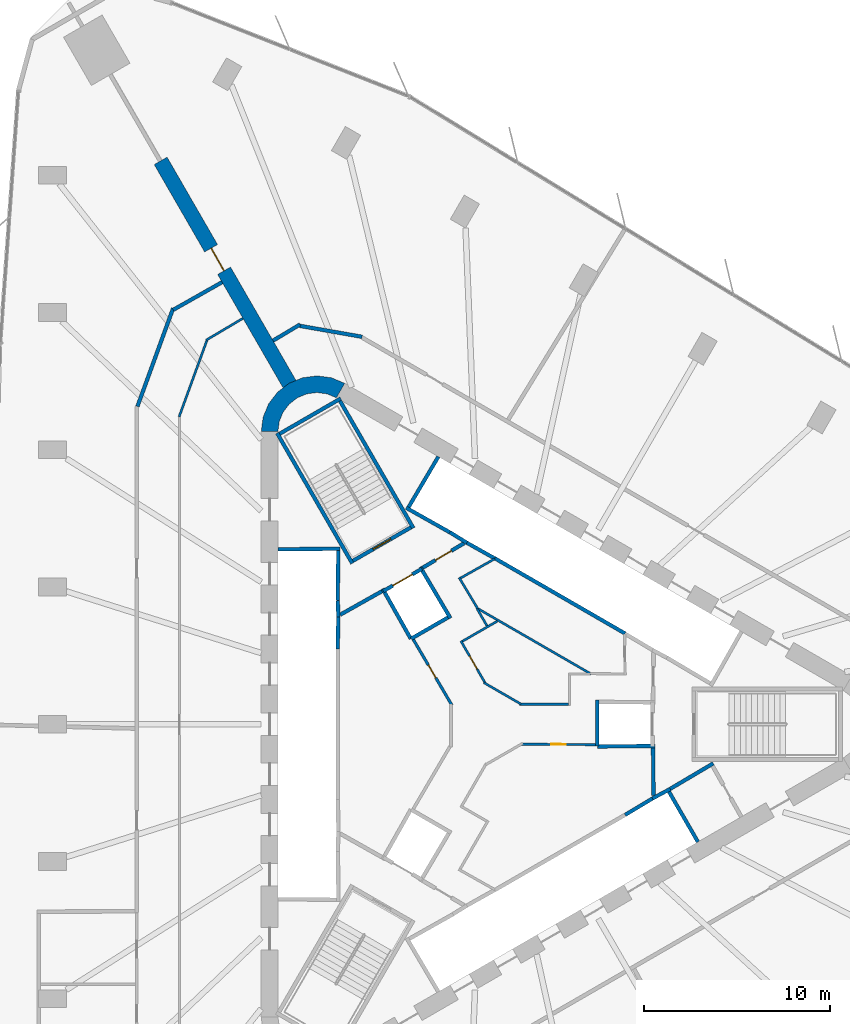
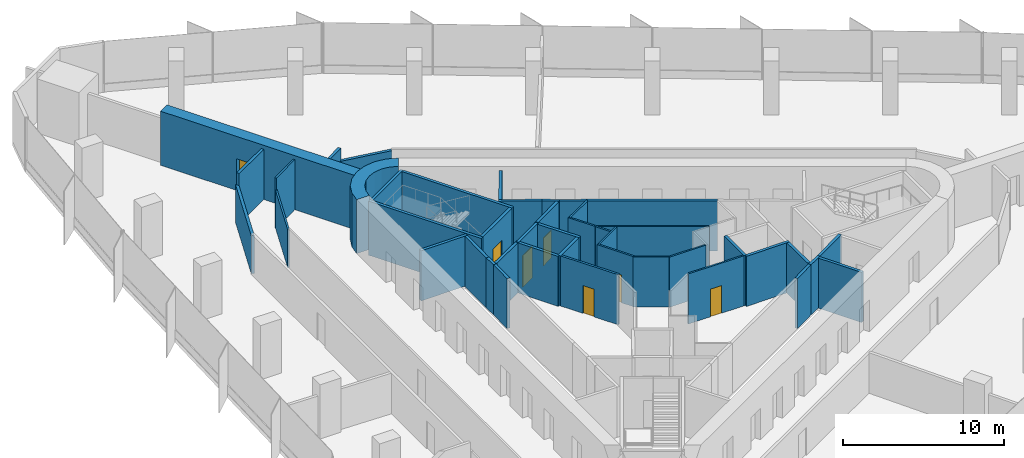
# One storey, part 10 of 13: 44 walls, 7 doors, 7 openings.
"""IFC4 building model written with IfcOpenShell, lengths in metres."""

from ifc_helpers import new_model, si_unit, direction, frame, frame_2d, origin, place, context, subcontext, project, spatial, polyline, rectangle, outline, extrude, material, layer, layer_set, type_object, element, fill, save


model = new_model("IFC4")

# Units and contexts
model_context = context("Model", 3, precision=1e-05, world=origin(), true_north=direction((0.0, 1.0)))
body_context = subcontext(model_context, "Body", "Model", "MODEL_VIEW")
ifc_project = project(units=[si_unit("LENGTHUNIT", "METRE"), si_unit("AREAUNIT", "SQUARE_METRE"), si_unit("VOLUMEUNIT", "CUBIC_METRE"), si_unit("PLANEANGLEUNIT", "RADIAN"), si_unit("MASSUNIT", "GRAM", prefix="KILO")], contexts=[model_context])

# Site, building, storey
site_placement = place(None, origin())
site = spatial("IfcSite", under=ifc_project, at=site_placement, CompositionType="ELEMENT")
building_placement = place(site_placement, origin())
building = spatial("IfcBuilding", under=site, at=building_placement, Name="Tanit Gate Tower", CompositionType="ELEMENT")
storey_placement = place(building_placement, frame((0.0, 0.0, 66.0)))
storey = spatial("IfcBuildingStorey", under=building, at=storey_placement, Name="L12", CompositionType="ELEMENT", Elevation=66.0)

# Wall, opening, door
ifc_material_1 = material(Name="Concrete C60/75", Category="concrete")
ifc_layer_1 = layer(ifc_material_1, 0.800048828125)
ifc_layer_set_1 = layer_set([ifc_layer_1], Name="BUTTRESS FIN 800 C60/75")
wall_type_1 = type_object("IfcWallType", Name="BUTTRESS FIN 800 C60/75", PredefinedType="SHEAR", material=ifc_layer_set_1)
wall_1_placement = place(storey_placement, frame((-10.574951171875, 18.31640625, 0.0), z_axis=(0.0, 0.0, 1.0), x_axis=(-0.500001010139, 0.866024820579, 0.0)))
wall_1 = element("IfcWall", 1, at=wall_1_placement, inside=storey, type_object=wall_type_1, Name="BUTTRESS FIN", PredefinedType="SHEAR", context=body_context, shape_type="SweptSolid", body=[
    extrude(rectangle(XDim=13.8837890625, YDim=0.800048828125, at=frame_2d((6.94189453125, 0.0))), origin(), (0.0, 0.0, 1.0), 4.10009765625),
])
opening_1_placement = place(wall_1_placement, frame((7.050048828125, 0.0, 0.0)))
opening_1 = element("IfcOpeningElement", 2, at=opening_1_placement, cuts=wall_1, Name="Opening P14-S01-F-NW-1", PredefinedType="OPENING", context=body_context, shape_type="SweptSolid", body=[
    extrude(rectangle(XDim=1.39990234375, YDim=2.39990234375, at=frame_2d((0.699951171875, 1.199951171875))), frame((0.0, 0.41015625, 0.0), z_axis=(0.0, -1.0, 0.0), x_axis=(1.0, 0.0, 0.0)), (0.0, 0.0, 1.0), 0.820068359375),
])
ifc_material_2 = material(Name="Timber door leaf", Category="wood")
door_type_1 = type_object("IfcDoorType", Name="INT-DOOR-FIN-PAIR-1400", OperationType="NOTDEFINED", PredefinedType="NOTDEFINED", material=ifc_material_2)
door_1_placement = place(opening_1_placement, origin())
door_1 = element("IfcDoor", 3, at=door_1_placement, inside=storey, type_object=door_type_1, Name="Door P14-S01-F-NW-1", OperationType="DOUBLE_DOOR_SINGLE_SWING", OverallHeight=2.39990234375, OverallWidth=1.39990234375, PredefinedType="NOTDEFINED", context=body_context, shape_type="SweptSolid", body=[
    extrude(rectangle(XDim=1.39990234375, YDim=2.39990234375, at=frame_2d((0.699951171875, 1.199951171875))), frame((0.0, 0.02490234375, 0.0), z_axis=(0.0, -1.0, 0.0), x_axis=(1.0, 0.0, 0.0)), (0.0, 0.0, 1.0), 0.050048828125),
])
fill(opening_1, door_1)

# Walls
ifc_material_3 = material(Name="Concrete C60/75", Category="concrete")
ifc_layer_2 = layer(ifc_material_3, 0.89990234375)
ifc_layer_set_2 = layer_set([ifc_layer_2], Name="CORE WALL 900 C60/75")
wall_type_2 = type_object("IfcWallType", Name="CORE WALL 900 C60/75", PredefinedType="SHEAR", material=ifc_layer_set_2)
wall_2_placement = place(storey_placement, origin())
element("IfcWall", 4, at=wall_2_placement, inside=storey, type_object=wall_type_2, Name="CORE WALL CORNER", PredefinedType="SHEAR", context=body_context, shape_type="SweptSolid", body=[
    extrude(outline(polyline([(-7.60009765625, 18.359619140625), (-8.323486328125, 18.659423828125), (-9.10009765625, 18.76171875), (-9.87646484375, 18.659423828125), (-10.60009765625, 18.359619140625), (-11.22119140625, 17.883056640625), (-11.697998046875, 17.26171875), (-11.997802734375, 16.5380859375), (-12.10009765625, 15.76171875), (-11.199951171875, 15.76171875), (-11.12841796875, 16.30517578125), (-10.918701171875, 16.811767578125), (-10.5849609375, 17.24658203125), (-10.14990234375, 17.580322265625), (-9.6435546875, 17.7900390625), (-9.10009765625, 17.86181640625), (-8.556396484375, 17.7900390625), (-8.050048828125, 17.580322265625), (-7.60009765625, 18.359619140625)])), origin(), (0.0, 0.0, 1.0), 4.10009765625),
])
ifc_material_4 = material(Name="Fire-rated gypsum board partition")
ifc_layer_3 = layer(ifc_material_4, 0.199951171875)
ifc_layer_set_3 = layer_set([ifc_layer_3], Name="INT-WALL-COMPARTMENT")
wall_type_3 = type_object("IfcWallType", Name="INT-WALL-COMPARTMENT", PredefinedType="PARTITIONING", material=ifc_layer_set_3)
wall_3_placement = place(storey_placement, frame((12.244873046875, -2.10888671875, 0.0), z_axis=(0.0, 0.0, 1.0), x_axis=(-0.860414880418, -0.509594185166, 0.0)))
element("IfcWall", 5, at=wall_3_placement, inside=storey, type_object=wall_type_3, Name="Wall Compartment W057", PredefinedType="PARTITIONING", context=body_context, shape_type="SweptSolid", body=[
    extrude(rectangle(XDim=2.7001953125, YDim=0.199951171875, at=frame_2d((1.35009765625, 0.0))), origin(), (0.0, 0.0, 1.0), 3.800048828125),
])
for number, where, z_axis, x_axis, name in (
    (6, (9.02880859375, -3.8505859375, 0.0), (0.0, 0.0, 1.0), (-0.010784614026, 0.999941844359, 0.0), "Wall Compartment W059"),
    (7, (-5.600341796875, 7.16015625, 0.0), (0.0, 0.0, 1.0), (-0.871340486379, -0.490678873396, 0.0), "Wall Compartment W061"),
):
    element("IfcWall", number, at=place(storey_placement, frame(where, z_axis=z_axis, x_axis=x_axis)), inside=storey, type_object=wall_type_3, Name=name, PredefinedType="PARTITIONING", context=body_context, shape_type="SweptSolid", body=[
        extrude(rectangle(XDim=2.580810546875, YDim=0.199951171875, at=frame_2d((1.29052734375, 0.0))), origin(), (0.0, 0.0, 1.0), 3.800048828125),
    ])

# Wall, opening, door
wall_4_placement = place(storey_placement, frame((-1.179443359375, 9.74462890625, 0.0), z_axis=(0.0, 0.0, 1.0), x_axis=(-0.860598681535, -0.509283721849, 0.0)))
wall_4 = element("IfcWall", 8, at=wall_4_placement, inside=storey, type_object=wall_type_3, Name="Wall Compartment W062", PredefinedType="PARTITIONING", context=body_context, shape_type="SweptSolid", body=[
    extrude(rectangle(XDim=2.5810546875, YDim=0.199951171875, at=frame_2d((1.29052734375, 0.0))), origin(), (0.0, 0.0, 1.0), 3.800048828125),
])
opening_2_placement = place(wall_4_placement, frame((0.79052734375, 0.0, 0.0)))
opening_2 = element("IfcOpeningElement", 9, at=opening_2_placement, cuts=wall_4, Name="Opening F10-S01-05", PredefinedType="OPENING", context=body_context, shape_type="SweptSolid", body=[
    extrude(rectangle(XDim=1.0, YDim=2.10009765625, at=frame_2d((0.5, 1.050048828125))), frame((0.0, 0.10986328125, 0.0), z_axis=(0.0, -1.0, 0.0), x_axis=(1.0, 0.0, 0.0)), (0.0, 0.0, 1.0), 0.219970703125),
])
ifc_material_5 = material(Name="Fire-rated steel door leaf", Category="steel")
door_type_2 = type_object("IfcDoorType", Name="INT-DOOR-FIRE-1000", OperationType="NOTDEFINED", PredefinedType="USERDEFINED", material=ifc_material_5)
door_2_placement = place(opening_2_placement, origin())
door_2 = element("IfcDoor", 10, at=door_2_placement, inside=storey, type_object=door_type_2, Name="Door F10-S01-05", ObjectType="FIRE DOOR", OperationType="SINGLE_SWING_LEFT", OverallHeight=2.10009765625, OverallWidth=1.0, PredefinedType="USERDEFINED", context=body_context, shape_type="SweptSolid", body=[
    extrude(rectangle(XDim=1.0, YDim=2.10009765625, at=frame_2d((0.5, 1.050048828125))), frame((0.0, 0.02490234375, 0.0), z_axis=(0.0, -1.0, 0.0), x_axis=(1.0, 0.0, 0.0)), (0.0, 0.0, 1.0), 0.050048828125),
])
fill(opening_2, door_2)

# Walls
wall_5_placement = place(storey_placement, frame((-16.842041015625, 22.401611328125, 0.0), z_axis=(0.0, 0.0, 1.0), x_axis=(-0.342049747763, -0.939681845124, 0.0)))
element("IfcWall", 11, at=wall_5_placement, inside=storey, type_object=wall_type_3, Name="Wall Compartment W095", PredefinedType="PARTITIONING", context=body_context, shape_type="SweptSolid", body=[
    extrude(rectangle(XDim=5.62451171875, YDim=0.199951171875, at=frame_2d((2.812255859375, 0.0))), origin(), (0.0, 0.0, 1.0), 2.8798828125),
])
wall_6_placement = place(storey_placement, frame((-14.206298828125, 23.805908203125, 0.0), z_axis=(0.0, 0.0, 1.0), x_axis=(-0.87028621909, -0.492546339811, 0.0)))
element("IfcWall", 12, at=wall_6_placement, inside=storey, type_object=wall_type_3, Name="Wall Compartment W096", PredefinedType="PARTITIONING", context=body_context, shape_type="SweptSolid", body=[
    extrude(rectangle(XDim=3.026123046875, YDim=0.199951171875, at=frame_2d((1.51318359375, 0.0))), origin(), (0.0, 0.0, 1.0), 3.800048828125),
])
wall_7_placement = place(storey_placement, frame((-10.00732421875, 21.528564453125, 0.0), z_axis=(0.0, 0.0, 1.0), x_axis=(-0.858379714818, -0.513014878136, 0.0)))
element("IfcWall", 13, at=wall_7_placement, inside=storey, type_object=wall_type_3, Name="Wall Compartment W101", PredefinedType="PARTITIONING", context=body_context, shape_type="SweptSolid", body=[
    extrude(rectangle(XDim=1.697998046875, YDim=0.199951171875, at=frame_2d((0.84912109375, 0.0))), origin(), (0.0, 0.0, 1.0), 3.800048828125),
])
wall_8_placement = place(storey_placement, frame((-6.667236328125, 20.863037109375, 0.0), z_axis=(0.0, 0.0, 1.0), x_axis=(-0.984817805596, 0.173591156977, 0.0)))
element("IfcWall", 14, at=wall_8_placement, inside=storey, type_object=wall_type_3, Name="Wall Compartment W102", PredefinedType="PARTITIONING", context=body_context, shape_type="SweptSolid", body=[
    extrude(rectangle(XDim=3.44287109375, YDim=0.199951171875, at=frame_2d((1.721435546875, 0.0))), origin(), (0.0, 0.0, 1.0), 2.8798828125),
])

# Wall, opening, door
ifc_material_6 = material(Name="Gypsum board partition")
ifc_layer_4 = layer(ifc_material_6, 0.1201171875)
ifc_layer_set_4 = layer_set([ifc_layer_4], Name="INT-WALL-PARTITION")
wall_type_4 = type_object("IfcWallType", Name="INT-WALL-PARTITION", PredefinedType="PARTITIONING", material=ifc_layer_set_4)
wall_9_placement = place(storey_placement, frame((5.89990234375, -1.103759765625, 0.0), z_axis=(0.0, 0.0, 1.0), x_axis=(-0.999974192295, 0.007184340221, 0.0)))
wall_9 = element("IfcWall", 15, at=wall_9_placement, inside=storey, type_object=wall_type_4, Name="Wall Partition W073", PredefinedType="PARTITIONING", context=body_context, shape_type="SweptSolid", body=[
    extrude(rectangle(XDim=3.975830078125, YDim=0.1201171875, at=frame_2d((1.98779296875, 0.0))), origin(), (0.0, 0.0, 1.0), 3.800048828125),
])
opening_3_placement = place(wall_9_placement, frame((1.587890625, 0.0, 0.0)))
opening_3 = element("IfcOpeningElement", 16, at=opening_3_placement, cuts=wall_9, Name="Opening R08-S01-11", PredefinedType="OPENING", context=body_context, shape_type="SweptSolid", body=[
    extrude(rectangle(XDim=0.800048828125, YDim=2.10009765625, at=frame_2d((0.39990234375, 1.050048828125))), frame((0.0, 0.070068359375, 0.0), z_axis=(0.0, -1.0, 0.0), x_axis=(1.0, 0.0, 0.0)), (0.0, 0.0, 1.0), 0.14013671875),
])
ifc_material_7 = material(Name="Timber door leaf", Category="wood")
door_type_3 = type_object("IfcDoorType", Name="INT-DOOR-RISER-800", OperationType="NOTDEFINED", PredefinedType="USERDEFINED", material=ifc_material_7)
door_3_placement = place(opening_3_placement, origin())
door_3 = element("IfcDoor", 17, at=door_3_placement, inside=storey, type_object=door_type_3, Name="Door R08-S01-11", ObjectType="FIRE DOOR", OperationType="SINGLE_SWING_LEFT", OverallHeight=2.10009765625, OverallWidth=0.800048828125, PredefinedType="USERDEFINED", context=body_context, shape_type="SweptSolid", body=[
    extrude(rectangle(XDim=0.800048828125, YDim=2.10009765625, at=frame_2d((0.39990234375, 1.050048828125))), frame((0.0, 0.02490234375, 0.0), z_axis=(0.0, -1.0, 0.0), x_axis=(1.0, 0.0, 0.0)), (0.0, 0.0, 1.0), 0.050048828125),
])
fill(opening_3, door_3)

# Walls
wall_10_placement = place(storey_placement, frame((-0.497802734375, 6.262451171875, 0.0), z_axis=(0.0, 0.0, 1.0), x_axis=(0.866016105569, -0.500016104636, 0.0)))
element("IfcWall", 18, at=wall_10_placement, inside=storey, type_object=wall_type_4, Name="Wall Partition W074", PredefinedType="PARTITIONING", context=body_context, shape_type="SweptSolid", body=[
    extrude(rectangle(XDim=7.124755859375, YDim=0.1201171875, at=frame_2d((3.5625, 0.0))), origin(), (0.0, 0.0, 1.0), 3.800048828125),
])
wall_11_placement = place(storey_placement, frame((-1.442626953125, 7.896728515625, 0.0), z_axis=(0.0, 0.0, 1.0), x_axis=(0.51333134022, -0.8581905005, 0.0)))
element("IfcWall", 19, at=wall_11_placement, inside=storey, type_object=wall_type_4, Name="Wall Partition W075", PredefinedType="PARTITIONING", context=body_context, shape_type="SweptSolid", body=[
    extrude(rectangle(XDim=1.943359375, YDim=0.1201171875, at=frame_2d((0.9716796875, 0.0))), origin(), (0.0, 0.0, 1.0), 3.800048828125),
])
wall_12_placement = place(storey_placement, frame((0.475341796875, 8.9052734375, 0.0), z_axis=(0.0, 0.0, 1.0), x_axis=(-0.871832572129, -0.489804007921, 0.0)))
element("IfcWall", 20, at=wall_12_placement, inside=storey, type_object=wall_type_4, Name="Wall Partition W076", PredefinedType="PARTITIONING", context=body_context, shape_type="SweptSolid", body=[
    extrude(rectangle(XDim=2.1044921875, YDim=0.1201171875, at=frame_2d((1.05224609375, 0.0))), origin(), (0.0, 0.0, 1.0), 3.800048828125),
])
wall_13_placement = place(storey_placement, frame((1.80126953125, 1.074951171875, 0.0), z_axis=(0.0, 0.0, 1.0), x_axis=(1.0, 0.0, 0.0)))
element("IfcWall", 21, at=wall_13_placement, inside=storey, type_object=wall_type_4, Name="Wall Partition W081", PredefinedType="PARTITIONING", context=body_context, shape_type="SweptSolid", body=[
    extrude(rectangle(XDim=2.638671875, YDim=0.1201171875, at=frame_2d((1.3193359375, 0.0))), origin(), (0.0, 0.0, 1.0), 3.800048828125),
])
wall_14_placement = place(storey_placement, frame((-0.111572265625, 2.239501953125, 0.0), z_axis=(0.0, 0.0, 1.0), x_axis=(0.865997282035, -0.500048705136, 0.0)))
element("IfcWall", 22, at=wall_14_placement, inside=storey, type_object=wall_type_4, Name="Wall Partition W082", PredefinedType="PARTITIONING", context=body_context, shape_type="SweptSolid", body=[
    extrude(rectangle(XDim=2.310302734375, YDim=0.1201171875, at=frame_2d((1.1552734375, 0.0))), origin(), (0.0, 0.0, 1.0), 3.800048828125),
])

# Wall, opening, door
wall_15_placement = place(storey_placement, frame((-1.34912109375, 4.486572265625, 0.0), z_axis=(0.0, 0.0, 1.0), x_axis=(0.500013727357, -0.866017478146, 0.0)))
wall_15 = element("IfcWall", 23, at=wall_15_placement, inside=storey, type_object=wall_type_4, Name="Wall Partition W083", PredefinedType="PARTITIONING", context=body_context, shape_type="SweptSolid", body=[
    extrude(rectangle(XDim=2.63623046875, YDim=0.1201171875, at=frame_2d((1.318115234375, 0.0))), origin(), (0.0, 0.0, 1.0), 3.800048828125),
])
opening_4_placement = place(wall_15_placement, frame((0.947998046875, 0.0, 0.0)))
opening_4 = element("IfcOpeningElement", 24, at=opening_4_placement, cuts=wall_15, Name="Opening R08-S01-13", PredefinedType="OPENING", context=body_context, shape_type="SweptSolid", body=[
    extrude(rectangle(XDim=0.800048828125, YDim=2.10009765625, at=frame_2d((0.39990234375, 1.050048828125))), frame((0.0, 0.070068359375, 0.0), z_axis=(0.0, -1.0, 0.0), x_axis=(1.0, 0.0, 0.0)), (0.0, 0.0, 1.0), 0.14013671875),
])
door_4_placement = place(opening_4_placement, origin())
door_4 = element("IfcDoor", 25, at=door_4_placement, inside=storey, type_object=door_type_3, Name="Door R08-S01-13", ObjectType="FIRE DOOR", OperationType="SINGLE_SWING_RIGHT", OverallHeight=2.10009765625, OverallWidth=0.800048828125, PredefinedType="USERDEFINED", context=body_context, shape_type="SweptSolid", body=[
    extrude(rectangle(XDim=0.800048828125, YDim=2.10009765625, at=frame_2d((0.39990234375, 1.050048828125))), frame((0.0, 0.02490234375, 0.0), z_axis=(0.0, -1.0, 0.0), x_axis=(1.0, 0.0, 0.0)), (0.0, 0.0, 1.0), 0.050048828125),
])
fill(opening_4, door_4)

# Walls
wall_16_placement = place(storey_placement, frame((0.614501953125, 5.551025390625, 0.0), z_axis=(0.0, 0.0, 1.0), x_axis=(-0.866007815276, -0.500030462953, 0.0)))
element("IfcWall", 26, at=wall_16_placement, inside=storey, type_object=wall_type_4, Name="Wall Partition W084", PredefinedType="PARTITIONING", context=body_context, shape_type="SweptSolid", body=[
    extrude(rectangle(XDim=2.172607421875, YDim=0.1201171875, at=frame_2d((1.08642578125, 0.0))), origin(), (0.0, 0.0, 1.0), 3.800048828125),
])
wall_17_placement = place(storey_placement, frame((-0.469970703125, 6.214111328125, 0.0), z_axis=(0.0, 0.0, 1.0), x_axis=(0.500015802937, -0.866016279763, 0.0)))
element("IfcWall", 27, at=wall_17_placement, inside=storey, type_object=wall_type_4, Name="Wall Partition W085", PredefinedType="PARTITIONING", context=body_context, shape_type="SweptSolid", body=[
    extrude(rectangle(XDim=1.056640625, YDim=0.1201171875, at=frame_2d((0.5283203125, 0.0))), origin(), (0.0, 0.0, 1.0), 3.800048828125),
])
wall_18_placement = place(storey_placement, frame((-13.082275390625, 21.859130859375, 0.0), z_axis=(0.0, 0.0, 1.0), x_axis=(-0.860286384661, -0.509811079095, 0.0)))
element("IfcWall", 28, at=wall_18_placement, inside=storey, type_object=wall_type_4, Name="Wall Partition W086", PredefinedType="PARTITIONING", context=body_context, shape_type="SweptSolid", body=[
    extrude(rectangle(XDim=2.310546875, YDim=0.1201171875, at=frame_2d((1.1552734375, 0.0))), origin(), (0.0, 0.0, 1.0), 3.800048828125),
])
wall_19_placement = place(storey_placement, frame((-15.0166015625, 20.6923828125, 0.0), z_axis=(0.0, 0.0, 1.0), x_axis=(-0.342028368186, -0.939689627141, 0.0)))
element("IfcWall", 29, at=wall_19_placement, inside=storey, type_object=wall_type_4, Name="Wall Partition W087", PredefinedType="PARTITIONING", context=body_context, shape_type="SweptSolid", body=[
    extrude(rectangle(XDim=4.39697265625, YDim=0.1201171875, at=frame_2d((2.198486328125, 0.0))), origin(), (0.0, 0.0, 1.0), 2.8798828125),
])

# Wall, opening, door
ifc_material_8 = material(Name="Fire-rated gypsum board partition")
ifc_layer_5 = layer(ifc_material_8, 0.14990234375)
ifc_layer_set_5 = layer_set([ifc_layer_5], Name="INT-WALL-RISER")
wall_type_5 = type_object("IfcWallType", Name="INT-WALL-RISER", PredefinedType="PLUMBINGWALL", material=ifc_layer_set_5)
wall_20_placement = place(storey_placement, frame((-1.81884765625, 1.002197265625, 0.0), z_axis=(0.0, 0.0, 1.0), x_axis=(-0.506251313942, 0.8623859966, 0.0)))
wall_20 = element("IfcWall", 30, at=wall_20_placement, inside=storey, type_object=wall_type_5, Name="Wall Riser W065", PredefinedType="PLUMBINGWALL", context=body_context, shape_type="SweptSolid", body=[
    extrude(rectangle(XDim=4.122802734375, YDim=0.14990234375, at=frame_2d((2.0615234375, 0.0))), origin(), (0.0, 0.0, 1.0), 3.800048828125),
])
opening_5_placement = place(wall_20_placement, frame((1.72509765625, 0.0, 0.0)))
opening_5 = element("IfcOpeningElement", 31, at=opening_5_placement, cuts=wall_20, Name="Opening R08-S01-10", PredefinedType="OPENING", context=body_context, shape_type="SweptSolid", body=[
    extrude(rectangle(XDim=0.800048828125, YDim=2.10009765625, at=frame_2d((0.39990234375, 1.050048828125))), frame((0.0, 0.0849609375, 0.0), z_axis=(0.0, -1.0, 0.0), x_axis=(1.0, 0.0, 0.0)), (0.0, 0.0, 1.0), 0.169921875),
])
door_5_placement = place(opening_5_placement, origin())
door_5 = element("IfcDoor", 32, at=door_5_placement, inside=storey, type_object=door_type_3, Name="Door R08-S01-10", ObjectType="FIRE DOOR", OperationType="SINGLE_SWING_LEFT", OverallHeight=2.10009765625, OverallWidth=0.800048828125, PredefinedType="USERDEFINED", context=body_context, shape_type="SweptSolid", body=[
    extrude(rectangle(XDim=0.800048828125, YDim=2.10009765625, at=frame_2d((0.39990234375, 1.050048828125))), frame((0.0, 0.02490234375, 0.0), z_axis=(0.0, -1.0, 0.0), x_axis=(1.0, 0.0, 0.0)), (0.0, 0.0, 1.0), 0.050048828125),
])
fill(opening_5, door_5)

# Walls
ifc_material_9 = material(Name="Gypsum shaft wall system")
ifc_layer_6 = layer(ifc_material_9, 0.199951171875)
ifc_layer_set_6 = layer_set([ifc_layer_6], Name="INT-WALL-SHAFT")
wall_type_6 = type_object("IfcWallType", Name="INT-WALL-SHAFT", PredefinedType="PLUMBINGWALL", material=ifc_layer_set_6)
wall_21_placement = place(storey_placement, frame((-11.199951171875, 9.419921875, 0.0), z_axis=(0.0, 0.0, 1.0), x_axis=(0.999957167047, 0.009255488683, 0.0)))
element("IfcWall", 33, at=wall_21_placement, inside=storey, type_object=wall_type_6, Name="Wall Shaft W001", PredefinedType="PLUMBINGWALL", context=body_context, shape_type="SweptSolid", body=[
    extrude(rectangle(XDim=3.35009765625, YDim=0.199951171875, at=frame_2d((1.675048828125, 0.0))), origin(), (0.0, 0.0, 1.0), 3.800048828125),
])
wall_22_placement = place(storey_placement, frame((-7.951171875, 9.35009765625, 0.0), z_axis=(0.0, 0.0, 1.0), x_axis=(-0.011120469654, -0.999938165666, 0.0)))
element("IfcWall", 34, at=wall_22_placement, inside=storey, type_object=wall_type_6, Name="Wall Shaft W002", PredefinedType="PLUMBINGWALL", context=body_context, shape_type="SweptSolid", body=[
    extrude(rectangle(XDim=2.700439453125, YDim=0.199951171875, at=frame_2d((1.35009765625, 0.0))), origin(), (0.0, 0.0, 1.0), 3.800048828125),
])
wall_23_placement = place(storey_placement, frame((7.497314453125, 4.885986328125, 0.0), z_axis=(0.0, 0.0, 1.0), x_axis=(-0.866030989016, 0.499990325971, 0.0)))
element("IfcWall", 35, at=wall_23_placement, inside=storey, type_object=wall_type_6, Name="Wall Shaft W003", PredefinedType="PLUMBINGWALL", context=body_context, shape_type="SweptSolid", body=[
    extrude(rectangle(XDim=8.099853515625, YDim=0.199951171875, at=frame_2d((4.0498046875, 0.0))), origin(), (0.0, 0.0, 1.0), 3.800048828125),
])
wall_24_placement = place(storey_placement, frame((-7.97705078125, 6.650146484375, 0.0), z_axis=(0.0, 0.0, 1.0), x_axis=(0.030861509705, -0.999523670164, 0.0)))
element("IfcWall", 36, at=wall_24_placement, inside=storey, type_object=wall_type_6, Name="Wall Shaft W004", PredefinedType="PLUMBINGWALL", context=body_context, shape_type="SweptSolid", body=[
    extrude(rectangle(XDim=0.878173828125, YDim=0.199951171875, at=frame_2d((0.43896484375, 0.0))), origin(), (0.0, 0.0, 1.0), 3.800048828125),
])
wall_25_placement = place(storey_placement, frame((-7.948974609375, 5.894287109375, 0.0), z_axis=(0.0, 0.0, 1.0), x_axis=(-0.016809909365, -0.999858703491, 0.0)))
element("IfcWall", 37, at=wall_25_placement, inside=storey, type_object=wall_type_6, Name="Wall Shaft W005", PredefinedType="PLUMBINGWALL", context=body_context, shape_type="SweptSolid", body=[
    extrude(rectangle(XDim=1.844482421875, YDim=0.199951171875, at=frame_2d((0.92236328125, 0.0))), origin(), (0.0, 0.0, 1.0), 3.800048828125),
])
wall_26_placement = place(storey_placement, frame((-1.940673828125, 10.338623046875, 0.0), z_axis=(0.0, 0.0, 1.0), x_axis=(0.850216889117, -0.526432561171, 0.0)))
element("IfcWall", 38, at=wall_26_placement, inside=storey, type_object=wall_type_6, Name="Wall Shaft W019", PredefinedType="PLUMBINGWALL", context=body_context, shape_type="SweptSolid", body=[
    extrude(rectangle(XDim=1.078369140625, YDim=0.199951171875, at=frame_2d((0.5390625, 0.0))), origin(), (0.0, 0.0, 1.0), 3.800048828125),
])
wall_27_placement = place(storey_placement, frame((0.478271484375, 8.928466796875, 0.0), z_axis=(0.0, 0.0, 1.0), x_axis=(-0.871988740738, 0.489525929882, 0.0)))
element("IfcWall", 39, at=wall_27_placement, inside=storey, type_object=wall_type_6, Name="Wall Shaft W020", PredefinedType="PLUMBINGWALL", context=body_context, shape_type="SweptSolid", body=[
    extrude(rectangle(XDim=1.8447265625, YDim=0.199951171875, at=frame_2d((0.92236328125, 0.0))), origin(), (0.0, 0.0, 1.0), 3.800048828125),
])
wall_28_placement = place(storey_placement, frame((-4.296142578125, 11.658935546875, 0.0), z_axis=(0.0, 0.0, 1.0), x_axis=(0.871534483978, -0.490334215854, 0.0)))
element("IfcWall", 40, at=wall_28_placement, inside=storey, type_object=wall_type_6, Name="Wall Shaft W021", PredefinedType="PLUMBINGWALL", context=body_context, shape_type="SweptSolid", body=[
    extrude(rectangle(XDim=2.7001953125, YDim=0.199951171875, at=frame_2d((1.35009765625, 0.0))), origin(), (0.0, 0.0, 1.0), 3.800048828125),
])
wall_29_placement = place(storey_placement, frame((-4.158203125, 11.696044921875, 0.0), z_axis=(0.0, 0.0, 1.0), x_axis=(0.508018930956, 0.861345903683, 0.0)))
element("IfcWall", 41, at=wall_29_placement, inside=storey, type_object=wall_type_6, Name="Wall Shaft W022", PredefinedType="PLUMBINGWALL", context=body_context, shape_type="SweptSolid", body=[
    extrude(rectangle(XDim=3.150146484375, YDim=0.199951171875, at=frame_2d((1.5751953125, 0.0))), origin(), (0.0, 0.0, 1.0), 3.800048828125),
])
wall_30_placement = place(storey_placement, frame((9.794677734375, -3.52490234375, 0.0), z_axis=(0.0, 0.0, 1.0), x_axis=(0.499984717929, -0.866034226713, 0.0)))
element("IfcWall", 42, at=wall_30_placement, inside=storey, type_object=wall_type_6, Name="Wall Shaft W024", PredefinedType="PLUMBINGWALL", context=body_context, shape_type="SweptSolid", body=[
    extrude(rectangle(XDim=3.25, YDim=0.199951171875, at=frame_2d((1.625, 0.0))), origin(), (0.0, 0.0, 1.0), 3.800048828125),
])
wall_31_placement = place(storey_placement, frame((8.97412109375, -3.998779296875, 0.0), z_axis=(0.0, 0.0, 1.0), x_axis=(0.880907015104, 0.473289373154, 0.0)))
element("IfcWall", 43, at=wall_31_placement, inside=storey, type_object=wall_type_6, Name="Wall Shaft W025", PredefinedType="PLUMBINGWALL", context=body_context, shape_type="SweptSolid", body=[
    extrude(rectangle(XDim=1.078125, YDim=0.199951171875, at=frame_2d((0.5390625, 0.0))), origin(), (0.0, 0.0, 1.0), 3.800048828125),
])
wall_32_placement = place(storey_placement, frame((7.497314453125, -4.885986328125, 0.0), z_axis=(0.0, 0.0, 1.0), x_axis=(0.857516281273, 0.51445682749, 0.0)))
element("IfcWall", 44, at=wall_32_placement, inside=storey, type_object=wall_type_6, Name="Wall Shaft W026", PredefinedType="PLUMBINGWALL", context=body_context, shape_type="SweptSolid", body=[
    extrude(rectangle(XDim=1.8447265625, YDim=0.199951171875, at=frame_2d((0.92236328125, 0.0))), origin(), (0.0, 0.0, 1.0), 3.800048828125),
])
wall_33_placement = place(storey_placement, frame((9.10009765625, -1.1689453125, 0.0), z_axis=(0.0, 0.0, 1.0), x_axis=(-0.999949988, -0.010001074852, 0.0)))
element("IfcWall", 45, at=wall_33_placement, inside=storey, type_object=wall_type_6, Name="Wall Shaft W038", PredefinedType="PLUMBINGWALL", context=body_context, shape_type="SweptSolid", body=[
    extrude(rectangle(XDim=3.100341796875, YDim=0.199951171875, at=frame_2d((1.55029296875, 0.0))), origin(), (0.0, 0.0, 1.0), 3.800048828125),
])
wall_34_placement = place(storey_placement, frame((6.0, -1.16455078125, 0.0), z_axis=(0.0, 0.0, 1.0), x_axis=(0.0, 1.0, 0.0)))
element("IfcWall", 46, at=wall_34_placement, inside=storey, type_object=wall_type_6, Name="Wall Shaft W039", PredefinedType="PLUMBINGWALL", context=body_context, shape_type="SweptSolid", body=[
    extrude(rectangle(XDim=2.464599609375, YDim=0.199951171875, at=frame_2d((1.232421875, 0.0))), origin(), (0.0, 0.0, 1.0), 3.800048828125),
])

# Wall, opening, door
wall_35_placement = place(storey_placement, frame((-5.524169921875, 7.168212890625, 0.0), z_axis=(0.0, 0.0, 1.0), x_axis=(0.866024647952, 0.500001309137, 0.0)))
wall_35 = element("IfcWall", 47, at=wall_35_placement, inside=storey, type_object=wall_type_6, Name="Wall Shaft W045", PredefinedType="PLUMBINGWALL", context=body_context, shape_type="SweptSolid", body=[
    extrude(rectangle(XDim=2.39990234375, YDim=0.199951171875, at=frame_2d((1.199951171875, 0.0))), origin(), (0.0, 0.0, 1.0), 3.800048828125),
])
opening_6_placement = place(wall_35_placement, frame((0.60009765625, 0.0, 0.0)))
opening_6 = element("IfcOpeningElement", 48, at=opening_6_placement, cuts=wall_35, Name="Opening LDFL2-L12", PredefinedType="OPENING", context=body_context, shape_type="SweptSolid", body=[
    extrude(rectangle(XDim=1.199951171875, YDim=2.39990234375, at=frame_2d((0.60009765625, 1.199951171875))), frame((0.0, 0.10986328125, 0.0), z_axis=(0.0, -1.0, 0.0), x_axis=(1.0, 0.0, 0.0)), (0.0, 0.0, 1.0), 0.219970703125),
])
ifc_material_10 = material(Name="Stainless steel sliding door leaf", Category="steel")
door_type_4 = type_object("IfcDoorType", Name="INT-DOOR-LANDING-1200", OperationType="NOTDEFINED", PredefinedType="USERDEFINED", material=ifc_material_10)
door_6_placement = place(opening_6_placement, origin())
door_6 = element("IfcDoor", 49, at=door_6_placement, inside=storey, type_object=door_type_4, Name="Door LDFL2-L12", ObjectType="LANDING DOOR", OperationType="SLIDING_TO_LEFT", OverallHeight=2.39990234375, OverallWidth=1.199951171875, PredefinedType="USERDEFINED", context=body_context, shape_type="SweptSolid", body=[
    extrude(rectangle(XDim=1.199951171875, YDim=2.39990234375, at=frame_2d((0.60009765625, 1.199951171875))), frame((0.0, 0.02490234375, 0.0), z_axis=(0.0, -1.0, 0.0), x_axis=(1.0, 0.0, 0.0)), (0.0, 0.0, 1.0), 0.050048828125),
])
fill(opening_6, door_6)

# Walls
wall_36_placement = place(storey_placement, frame((-4.039306640625, 4.59619140625, 0.0), z_axis=(0.0, 0.0, 1.0), x_axis=(-0.491322718731, 0.870977603649, 0.0)))
element("IfcWall", 50, at=wall_36_placement, inside=storey, type_object=wall_type_6, Name="Wall Shaft W046", PredefinedType="PLUMBINGWALL", context=body_context, shape_type="SweptSolid", body=[
    extrude(rectangle(XDim=3.10009765625, YDim=0.199951171875, at=frame_2d((1.550048828125, 0.0))), origin(), (0.0, 0.0, 1.0), 3.800048828125),
])
wall_37_placement = place(storey_placement, frame((-3.53759765625, 8.46533203125, 0.0), z_axis=(0.0, 0.0, 1.0), x_axis=(0.508616218331, -0.860993346345, 0.0)))
element("IfcWall", 51, at=wall_37_placement, inside=storey, type_object=wall_type_6, Name="Wall Shaft W047", PredefinedType="PLUMBINGWALL", context=body_context, shape_type="SweptSolid", body=[
    extrude(rectangle(XDim=3.2001953125, YDim=0.199951171875, at=frame_2d((1.60009765625, 0.0))), origin(), (0.0, 0.0, 1.0), 3.800048828125),
])
wall_38_placement = place(storey_placement, frame((-2.04736328125, 5.74609375, 0.0), z_axis=(0.0, 0.0, 1.0), x_axis=(-0.866046471269, -0.499963508271, 0.0)))
element("IfcWall", 52, at=wall_38_placement, inside=storey, type_object=wall_type_6, Name="Wall Shaft W048", PredefinedType="PLUMBINGWALL", context=body_context, shape_type="SweptSolid", body=[
    extrude(rectangle(XDim=2.279541015625, YDim=0.199951171875, at=frame_2d((1.1396484375, 0.0))), origin(), (0.0, 0.0, 1.0), 3.800048828125),
])
ifc_material_11 = material(Name="Concrete C40/50", Category="concrete")
ifc_layer_7 = layer(ifc_material_11, 0.199951171875)
ifc_layer_set_7 = layer_set([ifc_layer_7], Name="INT-WALL-STAIR")
wall_type_7 = type_object("IfcWallType", Name="INT-WALL-STAIR", PredefinedType="SHEAR", material=ifc_layer_set_7)
wall_39_placement = place(storey_placement, frame((-11.245361328125, 15.677734375, -0.300048828125), z_axis=(0.0, 0.0, 1.0), x_axis=(0.499977274689, -0.866038523851, 0.0)))
element("IfcWall", 53, at=wall_39_placement, inside=storey, type_object=wall_type_7, Name="Wall Stair W041", PredefinedType="SHEAR", context=body_context, shape_type="SweptSolid", body=[
    extrude(rectangle(XDim=8.10009765625, YDim=0.199951171875, at=frame_2d((4.050048828125, 0.0))), origin(), (0.0, 0.0, 1.0), 4.10009765625),
])
wall_40_placement = place(storey_placement, frame((-7.81787109375, 17.541015625, -0.300048828125), z_axis=(0.0, 0.0, 1.0), x_axis=(-0.866044365799, -0.499967155389, 0.0)))
element("IfcWall", 54, at=wall_40_placement, inside=storey, type_object=wall_type_7, Name="Wall Stair W042", PredefinedType="SHEAR", context=body_context, shape_type="SweptSolid", body=[
    extrude(rectangle(XDim=3.800048828125, YDim=0.199951171875, at=frame_2d((1.89990234375, 0.0))), origin(), (0.0, 0.0, 1.0), 4.10009765625),
])
wall_41_placement = place(storey_placement, frame((-7.8544921875, 17.404541015625, -0.300048828125), z_axis=(0.0, 0.0, 1.0), x_axis=(0.499997992926, -0.866026562566, 0.0)))
element("IfcWall", 55, at=wall_41_placement, inside=storey, type_object=wall_type_7, Name="Wall Stair W043", PredefinedType="SHEAR", context=body_context, shape_type="SweptSolid", body=[
    extrude(rectangle(XDim=7.89990234375, YDim=0.199951171875, at=frame_2d((3.949951171875, 0.0))), origin(), (0.0, 0.0, 1.0), 4.10009765625),
])

# Wall, opening, door
wall_42_placement = place(storey_placement, frame((-7.158935546875, 8.799560546875, -0.300048828125), z_axis=(0.0, 0.0, 1.0), x_axis=(0.866047807691, 0.499961193289, 0.0)))
wall_42 = element("IfcWall", 56, at=wall_42_placement, inside=storey, type_object=wall_type_7, Name="Wall Stair W044", PredefinedType="SHEAR", context=body_context, shape_type="SweptSolid", body=[
    extrude(rectangle(XDim=3.599853515625, YDim=0.199951171875, at=frame_2d((1.7998046875, 0.0))), origin(), (0.0, 0.0, 1.0), 4.10009765625),
])
opening_7_placement = place(wall_42_placement, frame((1.25, 0.0, 0.300048828125)))
opening_7 = element("IfcOpeningElement", 57, at=opening_7_placement, cuts=wall_42, Name="Opening S11-S01-04", PredefinedType="OPENING", context=body_context, shape_type="SweptSolid", body=[
    extrude(rectangle(XDim=1.10009765625, YDim=2.10009765625, at=frame_2d((0.550048828125, 1.050048828125))), frame((0.0, 0.10986328125, 0.0), z_axis=(0.0, -1.0, 0.0), x_axis=(1.0, 0.0, 0.0)), (0.0, 0.0, 1.0), 0.219970703125),
])
ifc_material_12 = material(Name="Timber door leaf", Category="wood")
door_type_5 = type_object("IfcDoorType", Name="INT-DOOR-STAIR-1100", OperationType="NOTDEFINED", PredefinedType="USERDEFINED", material=ifc_material_12)
door_7_placement = place(opening_7_placement, origin())
door_7 = element("IfcDoor", 58, at=door_7_placement, inside=storey, type_object=door_type_5, Name="Door S11-S01-04", ObjectType="FIRE DOOR", OperationType="SINGLE_SWING_LEFT", OverallHeight=2.10009765625, OverallWidth=1.10009765625, PredefinedType="USERDEFINED", context=body_context, shape_type="SweptSolid", body=[
    extrude(rectangle(XDim=1.10009765625, YDim=2.10009765625, at=frame_2d((0.550048828125, 1.050048828125))), frame((0.0, 0.02490234375, 0.0), z_axis=(0.0, -1.0, 0.0), x_axis=(1.0, 0.0, 0.0)), (0.0, 0.0, 1.0), 0.050048828125),
])
fill(opening_7, door_7)

save(model, "model.ifc")
